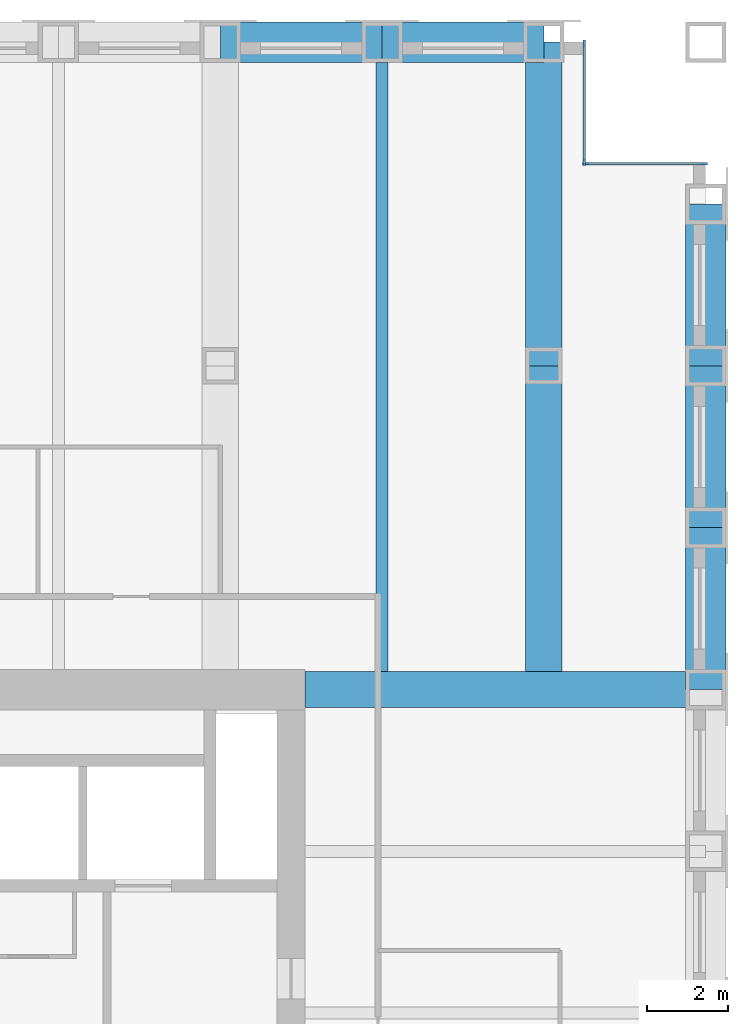
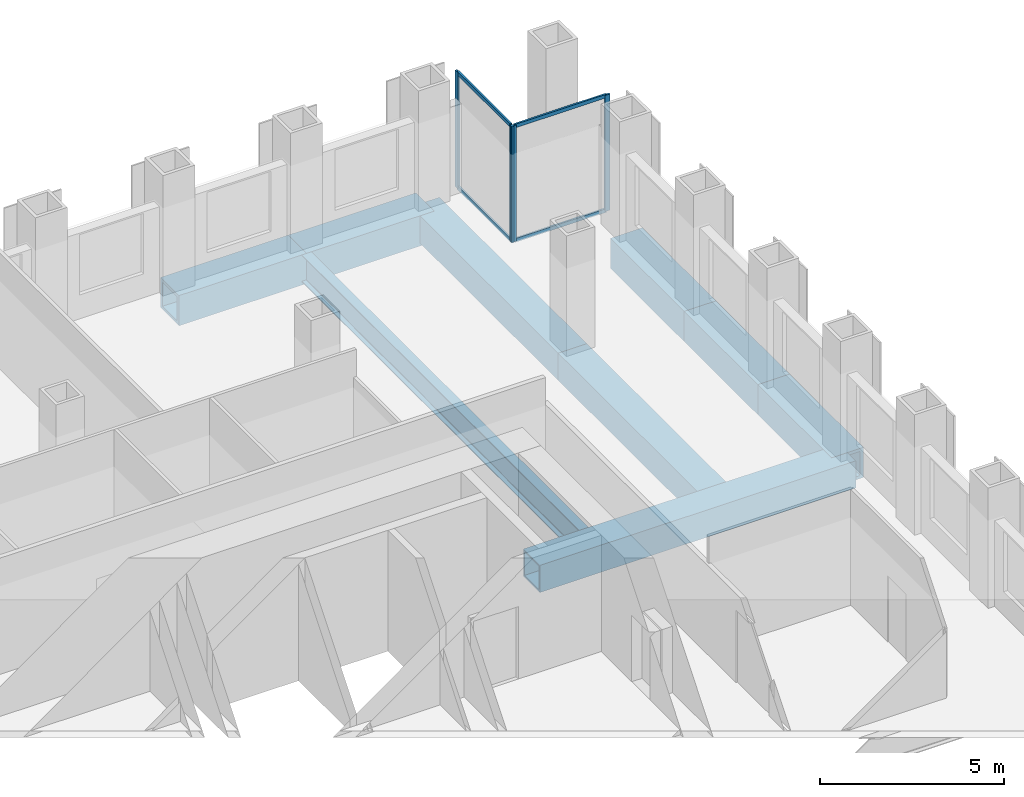
# One storey, part 6 of 12: 9 beams, 8 members, 2 elements without a shape of their own.
"""IFC4 building model written with IfcOpenShell, lengths in metres."""

from ifc_helpers import new_model, si_unit, direction, frame, origin, origin_2d, place, context, subcontext, project, spatial, rectangle, hollow_rectangle, i_section, extrude, material, material_profile, profile_set, type_object, element, aggregate, save


model = new_model("IFC4")

# Units and contexts
model_context = context("Model", 3, precision=1e-05, world=origin(), true_north=direction((0.0, 1.0)))
body_context = subcontext(model_context, "Body", "Model", "MODEL_VIEW")
ifc_project = project(units=[si_unit("LENGTHUNIT", "METRE"), si_unit("AREAUNIT", "SQUARE_METRE"), si_unit("VOLUMEUNIT", "CUBIC_METRE"), si_unit("PLANEANGLEUNIT", "RADIAN"), si_unit("MASSUNIT", "GRAM", prefix="KILO")], contexts=[model_context])

# Site, building, storey
site_placement = place(None, origin())
site = spatial("IfcSite", under=ifc_project, at=site_placement, CompositionType="ELEMENT")
building_placement = place(site_placement, origin())
building = spatial("IfcBuilding", under=site, at=building_placement, Name="Rimbunsela Tower", CompositionType="ELEMENT")
storey_placement = place(building_placement, frame((0.0, 0.0, 151.800048828125)))
storey = spatial("IfcBuildingStorey", under=building, at=storey_placement, Name="L36", CompositionType="ELEMENT", Elevation=151.800048828125)

# Beams
ifc_material_1 = material(Name="Steel BJ 55 (fy 410 MPa)", Category="steel")
ifc_material_profile_1 = material_profile(ifc_material_1, hollow_rectangle(XDim=1.0, YDim=1.0, WallThickness=0.10009765625, at=origin_2d()), Name="BOX 1000x1000x100")
ifc_profile_set_1 = profile_set([ifc_material_profile_1], Name="Steel BJ 55 (fy 410 MPa)")
beam_type_1 = type_object("IfcBeamType", Name="Beam BOX 1000x1000x100", PredefinedType="BEAM", material=ifc_profile_set_1)
for number, where, z_axis, x_axis, name in (
    (1, (34.0, 52.0, -0.650146484375), (1.0, 0.0, 0.0), (0.0, 1.0, 0.0), "Beam B3 L36"),
    (2, (38.0, 52.0, -0.650146484375), (1.0, 0.0, 0.0), (0.0, 1.0, 0.0), "Beam B3 L36"),
    (3, (46.0, 36.0, -0.650146484375), (0.0, 1.0, 0.0), (-1.0, 0.0, 0.0), "Beam B3 L36"),
    (4, (46.0, 40.0, -0.650146484375), (0.0, 1.0, 0.0), (-1.0, 0.0, 0.0), "Beam B3 L36"),
    (5, (46.0, 44.0, -0.650146484375), (0.0, 1.0, 0.0), (-1.0, 0.0, 0.0), "Beam B3 L36"),
):
    element("IfcBeam", number, at=place(storey_placement, frame(where, z_axis=z_axis, x_axis=x_axis)), inside=storey, type_object=beam_type_1, Name=name, PredefinedType="BEAM", context=body_context, shape_type="SweptSolid", body=[
        extrude(hollow_rectangle(XDim=1.0, YDim=1.0, WallThickness=0.10009765625, at=origin_2d()), origin(), (0.0, 0.0, 1.0), 4.0),
    ])
ifc_material_2 = material(Name="Steel BJ 55 (fy 410 MPa)", Category="steel")
ifc_material_profile_2 = material_profile(ifc_material_2, hollow_rectangle(XDim=0.89990234375, YDim=0.89990234375, WallThickness=0.06005859375, at=origin_2d()), Name="BOX 900x900x60")
ifc_profile_set_2 = profile_set([ifc_material_profile_2], Name="Steel BJ 55 (fy 410 MPa)")
beam_type_2 = type_object("IfcBeamType", Name="Beam BOX 900x900x60", PredefinedType="BEAM", material=ifc_profile_set_2)
beam_1_placement = place(storey_placement, frame((36.10009765625, 36.0, -0.60009765625), z_axis=(1.0, 0.0, 0.0), x_axis=(0.0, 1.0, 0.0)))
element("IfcBeam", 6, at=beam_1_placement, inside=storey, type_object=beam_type_2, Name="Beam B1 L36", PredefinedType="BEAM", context=body_context, shape_type="SweptSolid", body=[
    extrude(hollow_rectangle(XDim=0.89990234375, YDim=0.89990234375, WallThickness=0.06005859375, at=origin_2d()), origin(), (0.0, 0.0, 1.0), 9.89990234375),
])
beam_2_placement = place(storey_placement, frame((42.0, 36.449951171875, -0.60009765625), z_axis=(0.0, 1.0, 0.0), x_axis=(-1.0, 0.0, 0.0)))
element("IfcBeam", 7, at=beam_2_placement, inside=storey, type_object=beam_type_2, Name="Beam B1 L36", PredefinedType="BEAM", context=body_context, shape_type="SweptSolid", body=[
    extrude(hollow_rectangle(XDim=0.89990234375, YDim=0.89990234375, WallThickness=0.06005859375, at=origin_2d()), origin(), (0.0, 0.0, 1.0), 7.550048828125),
])
beam_3_placement = place(storey_placement, frame((42.0, 44.0, -0.60009765625), z_axis=(0.0, 1.0, 0.0), x_axis=(-1.0, 0.0, 0.0)))
element("IfcBeam", 8, at=beam_3_placement, inside=storey, type_object=beam_type_2, Name="Beam B1 L36", PredefinedType="BEAM", context=body_context, shape_type="SweptSolid", body=[
    extrude(hollow_rectangle(XDim=0.89990234375, YDim=0.89990234375, WallThickness=0.06005859375, at=origin_2d()), origin(), (0.0, 0.0, 1.0), 8.0),
])
ifc_material_3 = material(Name="Steel BJ 55 (fy 410 MPa)", Category="steel")
ifc_material_profile_3 = material_profile(ifc_material_3, i_section(OverallWidth=0.300048828125, OverallDepth=0.89990234375, WebThickness=0.01611328125, FlangeThickness=0.028076171875, FilletRadius=0.028076171875, at=origin_2d()), Name="H 900x300x16x28")
ifc_profile_set_3 = profile_set([ifc_material_profile_3], Name="Steel BJ 55 (fy 410 MPa)")
beam_type_3 = type_object("IfcBeamType", Name="Beam H 900x300x16x28", PredefinedType="BEAM", material=ifc_profile_set_3)
beam_4_placement = place(storey_placement, frame((38.0, 36.449951171875, -0.60009765625), z_axis=(0.0, 1.0, 0.0), x_axis=(-1.0, 0.0, 0.0)))
element("IfcBeam", 9, at=beam_4_placement, inside=storey, type_object=beam_type_3, Name="Beam B2 L36", PredefinedType="BEAM", context=body_context, shape_type="SweptSolid", body=[
    extrude(i_section(OverallWidth=0.300048828125, OverallDepth=0.89990234375, WebThickness=0.01611328125, FlangeThickness=0.028076171875, FilletRadius=0.028076171875, at=origin_2d()), origin(), (0.0, 0.0, 1.0), 15.550048828125),
])

# Curtain wall, members
ifc_material_4 = material(Name="Aluminium curtain wall", Category="aluminium")
curtain_wall_type = type_object("IfcCurtainWallType", Name="Corner glazing", PredefinedType="USERDEFINED", material=ifc_material_4)
curtain_wall_1_placement = place(storey_placement, origin())
curtain_wall_1 = element("IfcCurtainWall", 10, at=curtain_wall_1_placement, inside=storey, type_object=curtain_wall_type, Name="Corner glazing L36", ObjectType="CORNER GLAZING", PredefinedType="USERDEFINED")
ifc_material_5 = material(Name="Aluminium mullion", Category="aluminium")
ifc_material_profile_4 = material_profile(ifc_material_5, rectangle(XDim=0.06005859375, YDim=0.159912109375, at=origin_2d()), Name="Mullion 60x160")
ifc_profile_set_4 = profile_set([ifc_material_profile_4], Name="Aluminium mullion")
member_type_1 = type_object("IfcMemberType", Name="Curtain wall mullion 60x160", PredefinedType="MULLION", material=ifc_profile_set_4)
member_1_placement = place(storey_placement, frame((45.969970703125, 49.0, 0.0), z_axis=(0.0, 0.0, 1.0), x_axis=(0.0, -1.0, 0.0)))
member_1 = element("IfcMember", 11, at=member_1_placement, type_object=member_type_1, Name="CW5 mullion 1", PredefinedType="MULLION", context=body_context, shape_type="SweptSolid", body=[
    extrude(rectangle(XDim=0.06005859375, YDim=0.159912109375, at=origin_2d()), origin(), (0.0, 0.0, 1.0), 3.849853515625),
])
member_2_placement = place(storey_placement, frame((43.030029296875, 49.0, 0.0), z_axis=(0.0, 0.0, 1.0), x_axis=(0.0, -1.0, 0.0)))
member_2 = element("IfcMember", 12, at=member_2_placement, type_object=member_type_1, Name="CW5 mullion 2", PredefinedType="MULLION", context=body_context, shape_type="SweptSolid", body=[
    extrude(rectangle(XDim=0.06005859375, YDim=0.159912109375, at=origin_2d()), origin(), (0.0, 0.0, 1.0), 3.849853515625),
])

curtain_wall_2_placement = place(storey_placement, origin())
curtain_wall_2 = element("IfcCurtainWall", 13, at=curtain_wall_2_placement, inside=storey, type_object=curtain_wall_type, Name="Corner glazing L36", ObjectType="CORNER GLAZING", PredefinedType="USERDEFINED")
member_3_placement = place(storey_placement, frame((43.0, 49.030029296875, 0.0), z_axis=(0.0, 0.0, 1.0), x_axis=(-1.0, 0.0, 0.0)))
member_3 = element("IfcMember", 14, at=member_3_placement, type_object=member_type_1, Name="CW5 mullion 1", PredefinedType="MULLION", context=body_context, shape_type="SweptSolid", body=[
    extrude(rectangle(XDim=0.06005859375, YDim=0.159912109375, at=origin_2d()), origin(), (0.0, 0.0, 1.0), 3.849853515625),
])
member_4_placement = place(storey_placement, frame((43.0, 51.969970703125, 0.0), z_axis=(0.0, 0.0, 1.0), x_axis=(-1.0, 0.0, 0.0)))
member_4 = element("IfcMember", 15, at=member_4_placement, type_object=member_type_1, Name="CW5 mullion 2", PredefinedType="MULLION", context=body_context, shape_type="SweptSolid", body=[
    extrude(rectangle(XDim=0.06005859375, YDim=0.159912109375, at=origin_2d()), origin(), (0.0, 0.0, 1.0), 3.849853515625),
])

# Member
ifc_material_6 = material(Name="Aluminium transom", Category="aluminium")
ifc_material_profile_5 = material_profile(ifc_material_6, rectangle(XDim=0.06005859375, YDim=0.1201171875, at=origin_2d()), Name="Transom 60x120")
ifc_profile_set_5 = profile_set([ifc_material_profile_5], Name="Aluminium transom")
member_type_2 = type_object("IfcMemberType", Name="Curtain wall transom 60x120", PredefinedType="USERDEFINED", material=ifc_profile_set_5)
member_5_placement = place(storey_placement, frame((45.93994140625, 49.0, 0.030029296875), z_axis=(-1.0, 0.0, 0.0), x_axis=(0.0, -1.0, 0.0)))
member_5 = element("IfcMember", 16, at=member_5_placement, type_object=member_type_2, Name="CW5 transom 1.1", ObjectType="TRANSOM", PredefinedType="USERDEFINED", context=body_context, shape_type="SweptSolid", body=[
    extrude(rectangle(XDim=0.06005859375, YDim=0.1201171875, at=origin_2d()), origin(), (0.0, 0.0, 1.0), 2.8798828125),
])

member_6_placement = place(storey_placement, frame((45.93994140625, 49.0, 3.820068359375), z_axis=(-1.0, 0.0, 0.0), x_axis=(0.0, -1.0, 0.0)))
member_6 = element("IfcMember", 17, at=member_6_placement, type_object=member_type_2, Name="CW5 transom 1.2", ObjectType="TRANSOM", PredefinedType="USERDEFINED", context=body_context, shape_type="SweptSolid", body=[
    extrude(rectangle(XDim=0.06005859375, YDim=0.1201171875, at=origin_2d()), origin(), (0.0, 0.0, 1.0), 2.8798828125),
])

aggregate(curtain_wall_1, [member_1, member_2, member_5, member_6])

member_7_placement = place(storey_placement, frame((43.0, 49.06005859375, 0.030029296875), z_axis=(0.0, 1.0, 0.0), x_axis=(-1.0, 0.0, 0.0)))
member_7 = element("IfcMember", 18, at=member_7_placement, type_object=member_type_2, Name="CW5 transom 1.1", ObjectType="TRANSOM", PredefinedType="USERDEFINED", context=body_context, shape_type="SweptSolid", body=[
    extrude(rectangle(XDim=0.06005859375, YDim=0.1201171875, at=origin_2d()), origin(), (0.0, 0.0, 1.0), 2.8798828125),
])

member_8_placement = place(storey_placement, frame((43.0, 49.06005859375, 3.820068359375), z_axis=(0.0, 1.0, 0.0), x_axis=(-1.0, 0.0, 0.0)))
member_8 = element("IfcMember", 19, at=member_8_placement, type_object=member_type_2, Name="CW5 transom 1.2", ObjectType="TRANSOM", PredefinedType="USERDEFINED", context=body_context, shape_type="SweptSolid", body=[
    extrude(rectangle(XDim=0.06005859375, YDim=0.1201171875, at=origin_2d()), origin(), (0.0, 0.0, 1.0), 2.8798828125),
])

aggregate(curtain_wall_2, [member_3, member_4, member_7, member_8])

save(model, "model.ifc")
